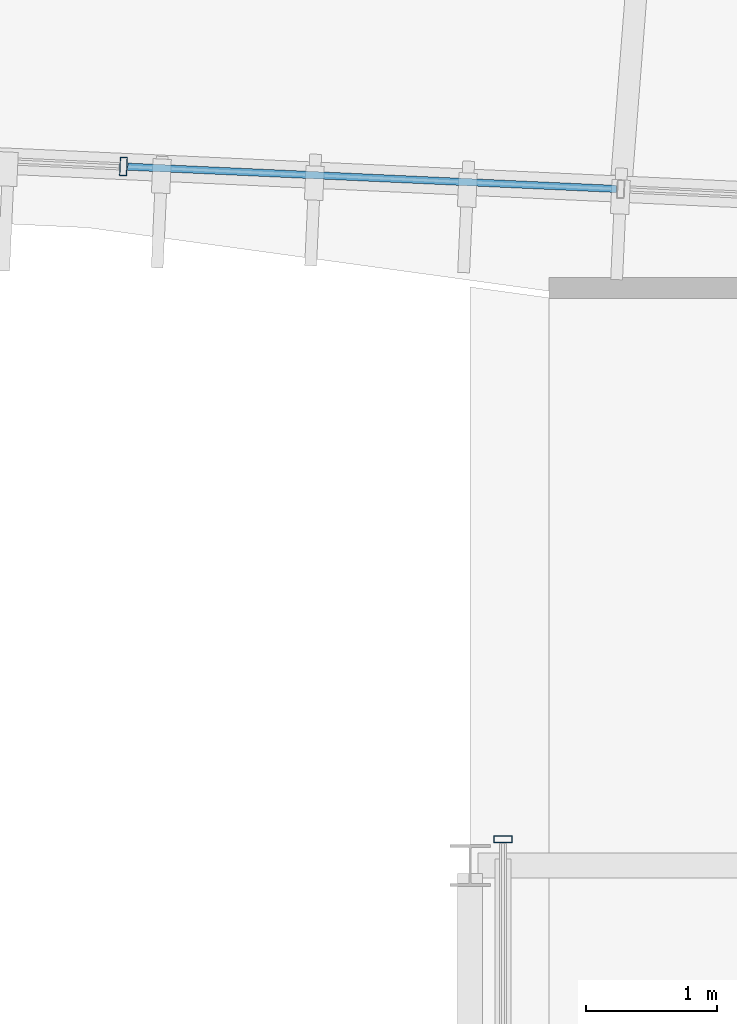
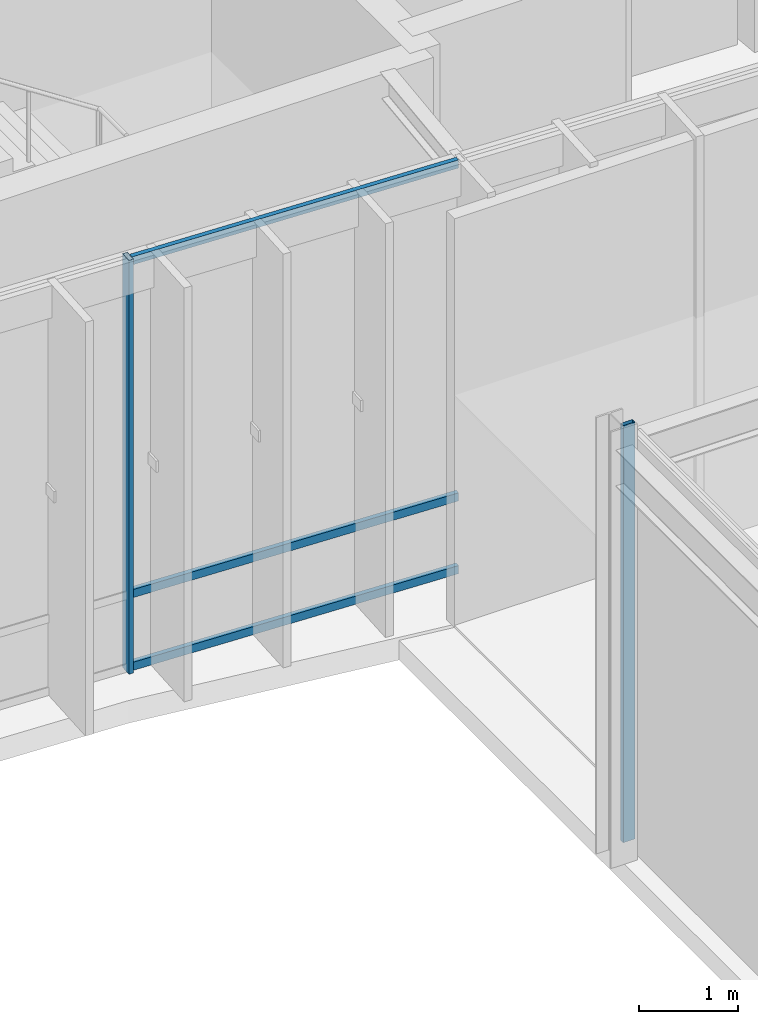
# One storey, part 35 of 157: 5 members, 2 elements without a shape of their own.
"""IFC4 building model written with IfcOpenShell, lengths in metres."""

from ifc_helpers import new_model, si_unit, direction, frame, origin, origin_2d, place, context, subcontext, project, spatial, hollow_rectangle, extrude, material, material_profile, profile_set, type_object, element, aggregate, save


model = new_model("IFC4")

# Units and contexts
model_context = context("Model", 3, precision=1e-05, world=origin(), true_north=direction((0.0, 1.0)))
body_context = subcontext(model_context, "Body", "Model", "MODEL_VIEW")
ifc_project = project(units=[si_unit("LENGTHUNIT", "METRE"), si_unit("AREAUNIT", "SQUARE_METRE"), si_unit("VOLUMEUNIT", "CUBIC_METRE"), si_unit("PLANEANGLEUNIT", "RADIAN"), si_unit("MASSUNIT", "GRAM", prefix="KILO"), si_unit("THERMODYNAMICTEMPERATUREUNIT", "KELVIN"), si_unit("POWERUNIT", "WATT")], contexts=[model_context])

# Site, building, storey
site_placement = place(None, origin())
site = spatial("IfcSite", under=ifc_project, at=site_placement, CompositionType="ELEMENT")
building_placement = place(site_placement, origin())
building = spatial("IfcBuilding", under=site, at=building_placement, Name="Darbajah Civic Hall", CompositionType="ELEMENT")
storey_placement = place(building_placement, origin())
storey = spatial("IfcBuildingStorey", under=building, at=storey_placement, Name="L00", CompositionType="ELEMENT", Elevation=0.0)

# Curtain wall, member
ifc_material_1 = material(Name="Anodised Bronze Aluminium and Low-E Glazing", Category="aluminium")
curtain_wall_type_1 = type_object("IfcCurtainWallType", Name="Unitised Curtain Wall CW-14 15200x5100", PredefinedType="USERDEFINED", material=ifc_material_1)
curtain_wall_1_placement = place(storey_placement, origin())
curtain_wall_1 = element("IfcCurtainWall", 1, at=curtain_wall_1_placement, inside=storey, type_object=curtain_wall_type_1, Name="L00 unitised curtain wall CW-V1O-L00-14", ObjectType="UNITISED CURTAIN WALL", PredefinedType="USERDEFINED")
ifc_material_2 = material(Name="Anodised Bronze Aluminium", Category="aluminium")
ifc_material_profile_1 = material_profile(ifc_material_2, hollow_rectangle(XDim=0.054931640625, YDim=0.139892578125, WallThickness=0.003173828125, at=origin_2d()), Name="ALU MULLION 55x140")
ifc_profile_set_1 = profile_set([ifc_material_profile_1], Name="Anodised Bronze Aluminium")
member_type_1 = type_object("IfcMemberType", Name="ALU MULLION 55x140", PredefinedType="MULLION", material=ifc_profile_set_1)
member_1_placement = place(storey_placement, frame((81.359375, 60.925537109375, 0.0), z_axis=(0.0, 0.0, 1.0), x_axis=(0.998962637241, -0.045537340693, 0.0)))
member_1 = element("IfcMember", 2, at=member_1_placement, type_object=member_type_1, Name="CW-V1O-L00-14 mullion 2", PredefinedType="MULLION", context=body_context, shape_type="SweptSolid", body=[
    extrude(hollow_rectangle(XDim=0.054931640625, YDim=0.139892578125, WallThickness=0.003173828125, at=origin_2d()), origin(), (0.0, 0.0, 1.0), 5.1201171875),
])

curtain_wall_type_2 = type_object("IfcCurtainWallType", Name="Unitised Curtain Wall CW-102 13400x5150", PredefinedType="USERDEFINED", material=ifc_material_1)
curtain_wall_2_placement = place(storey_placement, origin())
curtain_wall_2 = element("IfcCurtainWall", 3, at=curtain_wall_2_placement, inside=storey, type_object=curtain_wall_type_2, Name="L00 unitised curtain wall CW-V6-PW-L00", ObjectType="UNITISED CURTAIN WALL", PredefinedType="USERDEFINED")
member_2_placement = place(storey_placement, frame((84.25, 55.800048828125, 0.0), z_axis=(0.0, 0.0, 1.0), x_axis=(0.0, 1.0, 0.0)))
member_2 = element("IfcMember", 4, at=member_2_placement, type_object=member_type_1, Name="CW-V6-PW-L00 mullion 4", PredefinedType="MULLION", context=body_context, shape_type="SweptSolid", body=[
    extrude(hollow_rectangle(XDim=0.054931640625, YDim=0.139892578125, WallThickness=0.003173828125, at=origin_2d()), origin(), (0.0, 0.0, 1.0), 5.159912109375),
])
aggregate(curtain_wall_2, [member_2])

# Member
ifc_material_profile_2 = material_profile(ifc_material_2, hollow_rectangle(XDim=0.054931640625, YDim=0.10009765625, WallThickness=0.0029296875, at=origin_2d()), Name="ALU TRANSOM 55x100")
ifc_profile_set_2 = profile_set([ifc_material_profile_2], Name="Anodised Bronze Aluminium")
member_type_2 = type_object("IfcMemberType", Name="ALU TRANSOM 55x100", PredefinedType="USERDEFINED", material=ifc_profile_set_2)
member_3_placement = place(storey_placement, frame((81.391845703125, 60.924072265625, 0.050048828125), z_axis=(0.998963402091, -0.045520558907, 0.0), x_axis=(0.045520558907, 0.998963402091, 0.0)))
member_3 = element("IfcMember", 5, at=member_3_placement, type_object=member_type_2, Name="CW-V1O-L00-14 transom 2.1", ObjectType="TRANSOM", PredefinedType="USERDEFINED", context=body_context, shape_type="SweptSolid", body=[
    extrude(hollow_rectangle(XDim=0.054931640625, YDim=0.10009765625, WallThickness=0.0029296875, at=origin_2d()), origin(), (0.0, 0.0, 1.0), 3.7275390625),
])

member_4_placement = place(storey_placement, frame((81.391845703125, 60.924072265625, 0.949951171875), z_axis=(0.998963402091, -0.045520558907, 0.0), x_axis=(0.045520558907, 0.998963402091, 0.0)))
member_4 = element("IfcMember", 6, at=member_4_placement, type_object=member_type_2, Name="CW-V1O-L00-14 transom 2.2", ObjectType="TRANSOM", PredefinedType="USERDEFINED", context=body_context, shape_type="SweptSolid", body=[
    extrude(hollow_rectangle(XDim=0.054931640625, YDim=0.10009765625, WallThickness=0.0029296875, at=origin_2d()), origin(), (0.0, 0.0, 1.0), 3.7275390625),
])

member_5_placement = place(storey_placement, frame((81.391845703125, 60.924072265625, 5.070068359375), z_axis=(0.998963402091, -0.045520558907, 0.0), x_axis=(0.045520558907, 0.998963402091, 0.0)))
member_5 = element("IfcMember", 7, at=member_5_placement, type_object=member_type_2, Name="CW-V1O-L00-14 transom 2.3", ObjectType="TRANSOM", PredefinedType="USERDEFINED", context=body_context, shape_type="SweptSolid", body=[
    extrude(hollow_rectangle(XDim=0.054931640625, YDim=0.10009765625, WallThickness=0.0029296875, at=origin_2d()), origin(), (0.0, 0.0, 1.0), 3.7275390625),
])

aggregate(curtain_wall_1, [member_1, member_3, member_4, member_5])

save(model, "model.ifc")
